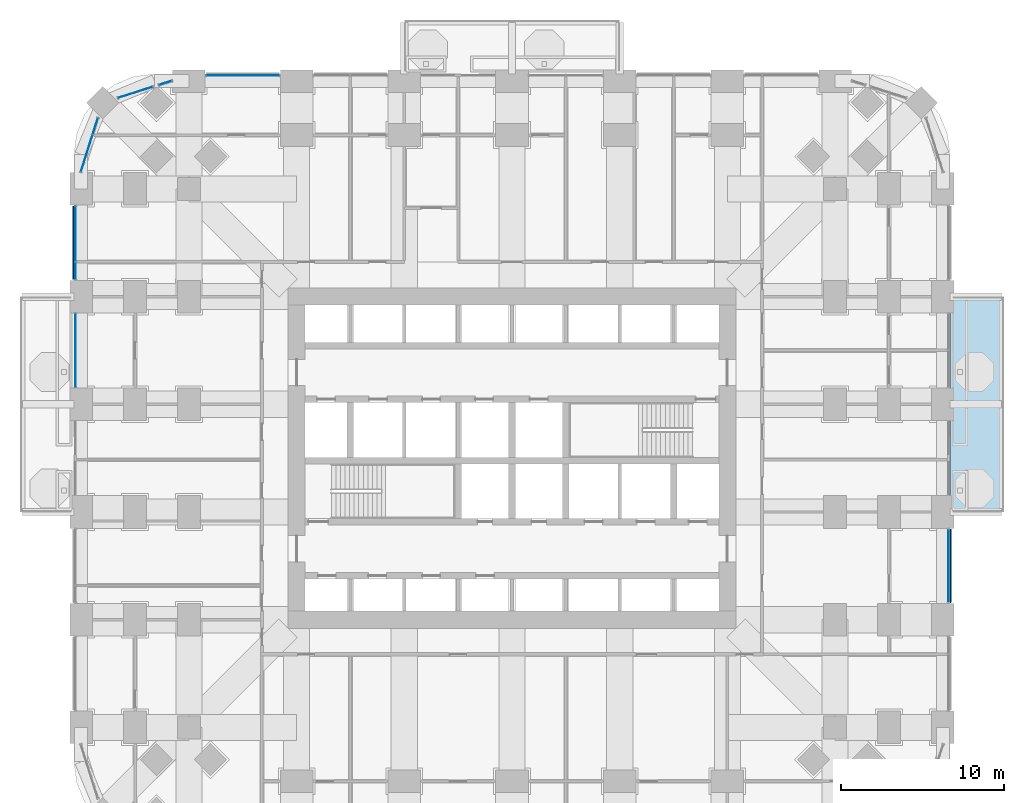
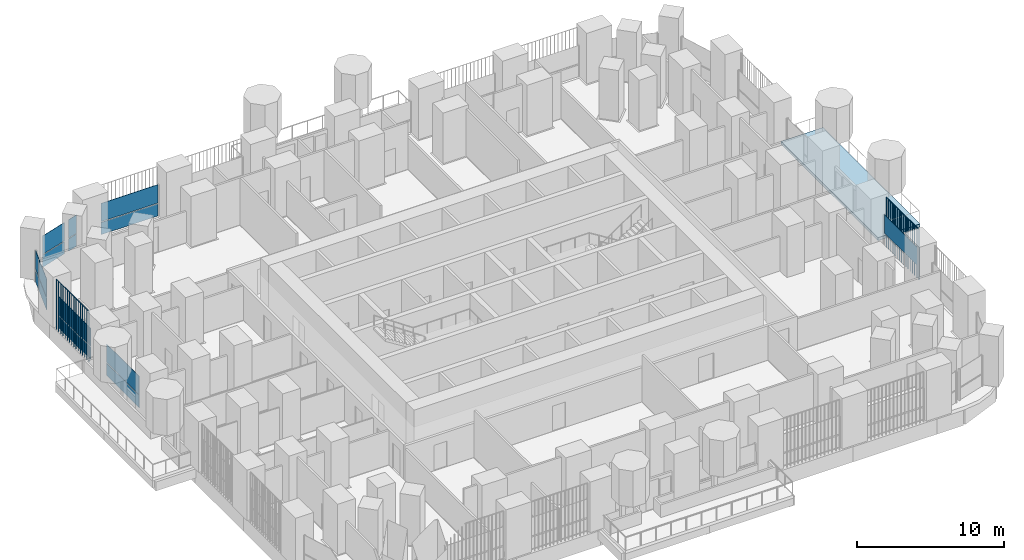
# One storey, part 13 of 25: 19 plates, 1 slab, 7 elements without a shape of their own.
"""IFC4 building model written with IfcOpenShell, lengths in metres."""

from ifc_helpers import new_model, si_unit, direction, frame, origin, origin_2d, place, context, subcontext, project, spatial, polyline, rectangle, outline, extrude, material, layer, layer_set, type_object, element, aggregate, save


model = new_model("IFC4")

# Units and contexts
model_context = context("Model", 3, precision=1e-05, world=origin(), true_north=direction((0.0, 1.0)))
body_context = subcontext(model_context, "Body", "Model", "MODEL_VIEW")
ifc_project = project(units=[si_unit("LENGTHUNIT", "METRE"), si_unit("AREAUNIT", "SQUARE_METRE"), si_unit("VOLUMEUNIT", "CUBIC_METRE"), si_unit("PLANEANGLEUNIT", "RADIAN"), si_unit("MASSUNIT", "GRAM", prefix="KILO")], contexts=[model_context])

# Site, building, storey
site_placement = place(None, origin())
site = spatial("IfcSite", under=ifc_project, at=site_placement, CompositionType="ELEMENT")
building_placement = place(site_placement, origin())
building = spatial("IfcBuilding", under=site, at=building_placement, Name="Cobogo Forest Laboratory Tower", CompositionType="ELEMENT")
storey_placement = place(building_placement, frame((0.0, 0.0, 67.5)))
storey = spatial("IfcBuildingStorey", under=building, at=storey_placement, Name="L15", CompositionType="ELEMENT", Elevation=67.5)

# Slab
ifc_material_1 = material(Name="Concrete HA-40 (C40/50)", Category="concrete")
ifc_layer_1 = layer(ifc_material_1, 0.25)
ifc_layer_set_1 = layer_set([ifc_layer_1], Name="Balcony slab 250")
slab_type = type_object("IfcSlabType", Name="Balcony slab 250", PredefinedType="FLOOR", material=ifc_layer_set_1)
slab_placement = place(storey_placement, frame((0.0, 0.0, -0.25)))
element("IfcSlab", 1, at=slab_placement, inside=storey, type_object=slab_type, Name="Balcony BAL-E1 L15", PredefinedType="FLOOR", context=body_context, shape_type="SweptSolid", body=[
    extrude(outline(polyline([(53.25, 19.800048828125), (56.550048828125, 19.800048828125), (56.550048828125, 33.0), (53.25, 33.0), (53.25, 19.800048828125)])), origin(), (0.0, 0.0, 1.0), 0.25),
])

# Curtain wall, plate
ifc_material_2 = material(Name="Aluminium curtain wall", Category="aluminium")
curtain_wall_type = type_object("IfcCurtainWallType", Name="CW-1 unitised curtain wall, clear glazing, laboratory floors zones A and B", PredefinedType="USERDEFINED", material=ifc_material_2)
curtain_wall_1_placement = place(storey_placement, origin())
curtain_wall_1 = element("IfcCurtainWall", 2, at=curtain_wall_1_placement, inside=storey, type_object=curtain_wall_type, Name="Curtain wall 11 L15", ObjectType="UNITISED CURTAIN WALL", PredefinedType="USERDEFINED")
ifc_material_3 = material(Name="Clear insulated glass", Category="glass")
ifc_layer_2 = layer(ifc_material_3, 0.028076171875)
ifc_layer_set_2 = layer_set([ifc_layer_2], Name="GP-1 clear insulated glass unit 28")
plate_type_1 = type_object("IfcPlateType", Name="GP-1 clear insulated glass unit 28", PredefinedType="CURTAIN_PANEL", material=ifc_layer_set_2)
plate_1_placement = place(storey_placement, frame((53.14990234375, 16.5, 1.080078125), z_axis=(0.0, 0.0, 1.0), x_axis=(0.0, 1.0, 0.0)))
plate_1 = element("IfcPlate", 3, at=plate_1_placement, type_object=plate_type_1, Name="CW-1 panel 1.2", PredefinedType="CURTAIN_PANEL", context=body_context, shape_type="SweptSolid", body=[
    extrude(rectangle(XDim=4.47998046875, YDim=0.028076171875, at=origin_2d()), origin(), (0.0, 0.0, 1.0), 1.52001953125),
])
aggregate(curtain_wall_1, [plate_1])

# Curtain wall, plates
curtain_wall_2_placement = place(storey_placement, origin())
curtain_wall_2 = element("IfcCurtainWall", 4, at=curtain_wall_2_placement, inside=storey, type_object=curtain_wall_type, Name="Curtain wall 23 L15", ObjectType="UNITISED CURTAIN WALL", PredefinedType="USERDEFINED")
plate_2_placement = place(storey_placement, frame((9.89990234375, 46.550048828125, 0.0), z_axis=(0.0, 0.0, 1.0), x_axis=(-1.0, 0.0, 0.0)))
plate_2 = element("IfcPlate", 5, at=plate_2_placement, type_object=plate_type_1, Name="CW-1 panel 1.1", PredefinedType="CURTAIN_PANEL", context=body_context, shape_type="SweptSolid", body=[
    extrude(rectangle(XDim=4.47998046875, YDim=0.028076171875, at=origin_2d()), origin(), (0.0, 0.0, 1.0), 1.02001953125),
])
plate_3_placement = place(storey_placement, frame((9.89990234375, 46.550048828125, 1.080078125), z_axis=(0.0, 0.0, 1.0), x_axis=(-1.0, 0.0, 0.0)))
plate_3 = element("IfcPlate", 6, at=plate_3_placement, type_object=plate_type_1, Name="CW-1 panel 1.2", PredefinedType="CURTAIN_PANEL", context=body_context, shape_type="SweptSolid", body=[
    extrude(rectangle(XDim=4.47998046875, YDim=0.028076171875, at=origin_2d()), origin(), (0.0, 0.0, 1.0), 1.52001953125),
])
aggregate(curtain_wall_2, [plate_2, plate_3])

curtain_wall_3_placement = place(storey_placement, origin())
curtain_wall_3 = element("IfcCurtainWall", 7, at=curtain_wall_3_placement, inside=storey, type_object=curtain_wall_type, Name="Curtain wall 24 L15", ObjectType="UNITISED CURTAIN WALL", PredefinedType="USERDEFINED")
plate_4_placement = place(storey_placement, frame((5.158935546875, 46.094970703125, 0.0), z_axis=(0.0, 0.0, 1.0), x_axis=(-0.953581406818, -0.301135352577, 0.0)))
plate_4 = element("IfcPlate", 8, at=plate_4_placement, type_object=plate_type_1, Name="CW-1 panel 1.1", PredefinedType="CURTAIN_PANEL", context=body_context, shape_type="SweptSolid", body=[
    extrude(rectangle(XDim=0.804931640625, YDim=0.028076171875, at=origin_2d()), origin(), (0.0, 0.0, 1.0), 1.02001953125),
])
plate_5_placement = place(storey_placement, frame((5.158935546875, 46.094970703125, 1.080078125), z_axis=(0.0, 0.0, 1.0), x_axis=(-0.953581406818, -0.301135352577, 0.0)))
plate_5 = element("IfcPlate", 9, at=plate_5_placement, type_object=plate_type_1, Name="CW-1 panel 1.2", PredefinedType="CURTAIN_PANEL", context=body_context, shape_type="SweptSolid", body=[
    extrude(rectangle(XDim=0.804931640625, YDim=0.028076171875, at=origin_2d()), origin(), (0.0, 0.0, 1.0), 1.52001953125),
])
aggregate(curtain_wall_3, [plate_4, plate_5])

curtain_wall_4_placement = place(storey_placement, origin())
curtain_wall_4 = element("IfcCurtainWall", 10, at=curtain_wall_4_placement, inside=storey, type_object=curtain_wall_type, Name="Curtain wall 25 L15", ObjectType="UNITISED CURTAIN WALL", PredefinedType="USERDEFINED")
plate_6_placement = place(storey_placement, frame((3.31787109375, 45.513427734375, 0.0), z_axis=(0.0, 0.0, 1.0), x_axis=(-0.953581409645, -0.301135343623, 0.0)))
plate_6 = element("IfcPlate", 11, at=plate_6_placement, type_object=plate_type_1, Name="CW-1 panel 1.1", PredefinedType="CURTAIN_PANEL", context=body_context, shape_type="SweptSolid", body=[
    extrude(rectangle(XDim=2.203369140625, YDim=0.028076171875, at=origin_2d()), origin(), (0.0, 0.0, 1.0), 1.02001953125),
])
plate_7_placement = place(storey_placement, frame((3.31787109375, 45.513427734375, 1.080078125), z_axis=(0.0, 0.0, 1.0), x_axis=(-0.953581409645, -0.301135343623, 0.0)))
plate_7 = element("IfcPlate", 12, at=plate_7_placement, type_object=plate_type_1, Name="CW-1 panel 1.2", PredefinedType="CURTAIN_PANEL", context=body_context, shape_type="SweptSolid", body=[
    extrude(rectangle(XDim=2.203369140625, YDim=0.028076171875, at=origin_2d()), origin(), (0.0, 0.0, 1.0), 1.52001953125),
])
aggregate(curtain_wall_4, [plate_6, plate_7])

curtain_wall_5_placement = place(storey_placement, origin())
curtain_wall_5 = element("IfcCurtainWall", 13, at=curtain_wall_5_placement, inside=storey, type_object=curtain_wall_type, Name="Curtain wall 26 L15", ObjectType="UNITISED CURTAIN WALL", PredefinedType="USERDEFINED")
plate_8_placement = place(storey_placement, frame((0.863525390625, 43.442626953125, 0.0), z_axis=(0.0, 0.0, 1.0), x_axis=(-0.301135433696, -0.953581381201, 0.0)))
plate_8 = element("IfcPlate", 14, at=plate_8_placement, type_object=plate_type_1, Name="CW-1 panel 1.1", PredefinedType="CURTAIN_PANEL", context=body_context, shape_type="SweptSolid", body=[
    extrude(rectangle(XDim=1.027587890625, YDim=0.028076171875, at=origin_2d()), origin(), (0.0, 0.0, 1.0), 1.02001953125),
])
plate_9_placement = place(storey_placement, frame((0.863525390625, 43.442626953125, 1.080078125), z_axis=(0.0, 0.0, 1.0), x_axis=(-0.301135433696, -0.953581381201, 0.0)))
plate_9 = element("IfcPlate", 15, at=plate_9_placement, type_object=plate_type_1, Name="CW-1 panel 1.2", PredefinedType="CURTAIN_PANEL", context=body_context, shape_type="SweptSolid", body=[
    extrude(rectangle(XDim=1.027587890625, YDim=0.028076171875, at=origin_2d()), origin(), (0.0, 0.0, 1.0), 1.52001953125),
])
plate_10_placement = place(storey_placement, frame((0.337158203125, 41.7763671875, 0.0), z_axis=(0.0, 0.0, 1.0), x_axis=(-0.301135433696, -0.953581381201, 0.0)))
plate_10 = element("IfcPlate", 16, at=plate_10_placement, type_object=plate_type_1, Name="CW-1 panel 2.1", PredefinedType="CURTAIN_PANEL", context=body_context, shape_type="SweptSolid", body=[
    extrude(rectangle(XDim=2.34716796875, YDim=0.028076171875, at=origin_2d()), origin(), (0.0, 0.0, 1.0), 1.02001953125),
])
plate_11_placement = place(storey_placement, frame((0.337158203125, 41.7763671875, 1.080078125), z_axis=(0.0, 0.0, 1.0), x_axis=(-0.301135433696, -0.953581381201, 0.0)))
plate_11 = element("IfcPlate", 17, at=plate_11_placement, type_object=plate_type_1, Name="CW-1 panel 2.2", PredefinedType="CURTAIN_PANEL", context=body_context, shape_type="SweptSolid", body=[
    extrude(rectangle(XDim=2.34716796875, YDim=0.028076171875, at=origin_2d()), origin(), (0.0, 0.0, 1.0), 1.52001953125),
])
aggregate(curtain_wall_5, [plate_8, plate_9, plate_10, plate_11])

curtain_wall_6_placement = place(storey_placement, origin())
curtain_wall_6 = element("IfcCurtainWall", 18, at=curtain_wall_6_placement, inside=storey, type_object=curtain_wall_type, Name="Curtain wall 27 L15", ObjectType="UNITISED CURTAIN WALL", PredefinedType="USERDEFINED")
plate_12_placement = place(storey_placement, frame((-0.35009765625, 36.847412109375, 0.0), z_axis=(0.0, 0.0, 1.0), x_axis=(0.0, -1.0, 0.0)))
plate_12 = element("IfcPlate", 19, at=plate_12_placement, type_object=plate_type_1, Name="CW-1 panel 1.1", PredefinedType="CURTAIN_PANEL", context=body_context, shape_type="SweptSolid", body=[
    extrude(rectangle(XDim=3.385009765625, YDim=0.028076171875, at=origin_2d()), origin(), (0.0, 0.0, 1.0), 1.02001953125),
])
plate_13_placement = place(storey_placement, frame((-0.35009765625, 36.847412109375, 1.080078125), z_axis=(0.0, 0.0, 1.0), x_axis=(0.0, -1.0, 0.0)))
plate_13 = element("IfcPlate", 20, at=plate_13_placement, type_object=plate_type_1, Name="CW-1 panel 1.2", PredefinedType="CURTAIN_PANEL", context=body_context, shape_type="SweptSolid", body=[
    extrude(rectangle(XDim=3.385009765625, YDim=0.028076171875, at=origin_2d()), origin(), (0.0, 0.0, 1.0), 1.52001953125),
])
plate_14_placement = place(storey_placement, frame((-0.35009765625, 34.577392578125, 0.0), z_axis=(0.0, 0.0, 1.0), x_axis=(0.0, -1.0, 0.0)))
plate_14 = element("IfcPlate", 21, at=plate_14_placement, type_object=plate_type_1, Name="CW-1 panel 2.1", PredefinedType="CURTAIN_PANEL", context=body_context, shape_type="SweptSolid", body=[
    extrude(rectangle(XDim=1.034912109375, YDim=0.028076171875, at=origin_2d()), origin(), (0.0, 0.0, 1.0), 1.02001953125),
])
plate_15_placement = place(storey_placement, frame((-0.35009765625, 34.577392578125, 1.080078125), z_axis=(0.0, 0.0, 1.0), x_axis=(0.0, -1.0, 0.0)))
plate_15 = element("IfcPlate", 22, at=plate_15_placement, type_object=plate_type_1, Name="CW-1 panel 2.2", PredefinedType="CURTAIN_PANEL", context=body_context, shape_type="SweptSolid", body=[
    extrude(rectangle(XDim=1.034912109375, YDim=0.028076171875, at=origin_2d()), origin(), (0.0, 0.0, 1.0), 1.52001953125),
])
aggregate(curtain_wall_6, [plate_12, plate_13, plate_14, plate_15])

curtain_wall_7_placement = place(storey_placement, origin())
curtain_wall_7 = element("IfcCurtainWall", 23, at=curtain_wall_7_placement, inside=storey, type_object=curtain_wall_type, Name="Curtain wall 28 L15", ObjectType="UNITISED CURTAIN WALL", PredefinedType="USERDEFINED")
plate_16_placement = place(storey_placement, frame((-0.35009765625, 29.699951171875, 0.0), z_axis=(0.0, 0.0, 1.0), x_axis=(0.0, -1.0, 0.0)))
plate_16 = element("IfcPlate", 24, at=plate_16_placement, type_object=plate_type_1, Name="CW-1 panel 1.1", PredefinedType="CURTAIN_PANEL", context=body_context, shape_type="SweptSolid", body=[
    extrude(rectangle(XDim=4.47998046875, YDim=0.028076171875, at=origin_2d()), origin(), (0.0, 0.0, 1.0), 1.02001953125),
])
plate_17_placement = place(storey_placement, frame((-0.35009765625, 29.699951171875, 1.080078125), z_axis=(0.0, 0.0, 1.0), x_axis=(0.0, -1.0, 0.0)))
plate_17 = element("IfcPlate", 25, at=plate_17_placement, type_object=plate_type_1, Name="CW-1 panel 1.2", PredefinedType="CURTAIN_PANEL", context=body_context, shape_type="SweptSolid", body=[
    extrude(rectangle(XDim=4.47998046875, YDim=0.028076171875, at=origin_2d()), origin(), (0.0, 0.0, 1.0), 1.52001953125),
])
aggregate(curtain_wall_7, [plate_16, plate_17])

# Plates
ifc_material_4 = material(Name="Terracotta", Category="masonry")
plate_type_2 = type_object("IfcPlateType", Name="TB1 terracotta baguette screen", PredefinedType="USERDEFINED", material=ifc_material_4)
plate_18_placement = place(storey_placement, frame((53.27783203125, 14.28125, -0.14990234375)))
element("IfcPlate", 26, at=plate_18_placement, inside=storey, type_object=plate_type_2, Name="Baguette screen E2 L15", ObjectType="BAGUETTE SCREEN", PredefinedType="USERDEFINED", context=body_context, shape_type="SweptSolid", body=[
    extrude(outline(polyline([(0.02880859375, 0.011962890625), (0.011962890625, 0.02880859375), (-0.011962890625, 0.02880859375), (-0.02880859375, 0.011962890625), (-0.02880859375, -0.011962890625), (-0.011962890625, -0.02880859375), (0.011962890625, -0.02880859375), (0.02880859375, -0.011962890625), (0.02880859375, 0.011962890625)])), frame((0.0, 0.0, 4.168701171875), z_axis=(0.0, 1.0, 0.0), x_axis=(-1.0, 0.0, 0.0)), (0.0, 0.0, 1.0), 4.4375),
    extrude(outline(polyline([(0.02880859375, 0.011962890625), (0.011962890625, 0.02880859375), (-0.011962890625, 0.02880859375), (-0.02880859375, 0.011962890625), (-0.02880859375, -0.011962890625), (-0.011962890625, -0.02880859375), (0.011962890625, -0.02880859375), (0.02880859375, -0.011962890625), (0.02880859375, 0.011962890625)])), origin(), (0.0, 0.0, 1.0), 4.137451171875),
    extrude(outline(polyline([(0.02880859375, 0.011962890625), (0.011962890625, 0.02880859375), (-0.011962890625, 0.02880859375), (-0.02880859375, 0.011962890625), (-0.02880859375, -0.011962890625), (-0.011962890625, -0.02880859375), (0.011962890625, -0.02880859375), (0.02880859375, -0.011962890625), (0.02880859375, 0.011962890625)])), frame((0.0, 0.2958984375, 0.0)), (0.0, 0.0, 1.0), 4.137451171875),
    extrude(outline(polyline([(0.02880859375, 0.011962890625), (0.011962890625, 0.02880859375), (-0.011962890625, 0.02880859375), (-0.02880859375, 0.011962890625), (-0.02880859375, -0.011962890625), (-0.011962890625, -0.02880859375), (0.011962890625, -0.02880859375), (0.02880859375, -0.011962890625), (0.02880859375, 0.011962890625)])), frame((0.0, 0.591552734375, 0.0)), (0.0, 0.0, 1.0), 4.137451171875),
    extrude(outline(polyline([(0.02880859375, 0.011962890625), (0.011962890625, 0.02880859375), (-0.011962890625, 0.02880859375), (-0.02880859375, 0.011962890625), (-0.02880859375, -0.011962890625), (-0.011962890625, -0.02880859375), (0.011962890625, -0.02880859375), (0.02880859375, -0.011962890625), (0.02880859375, 0.011962890625)])), frame((0.0, 0.887451171875, 0.0)), (0.0, 0.0, 1.0), 4.137451171875),
    extrude(outline(polyline([(0.02880859375, 0.011962890625), (0.011962890625, 0.02880859375), (-0.011962890625, 0.02880859375), (-0.02880859375, 0.011962890625), (-0.02880859375, -0.011962890625), (-0.011962890625, -0.02880859375), (0.011962890625, -0.02880859375), (0.02880859375, -0.011962890625), (0.02880859375, 0.011962890625)])), frame((0.0, 1.183349609375, 0.0)), (0.0, 0.0, 1.0), 4.137451171875),
    extrude(outline(polyline([(0.02880859375, 0.011962890625), (0.011962890625, 0.02880859375), (-0.011962890625, 0.02880859375), (-0.02880859375, 0.011962890625), (-0.02880859375, -0.011962890625), (-0.011962890625, -0.02880859375), (0.011962890625, -0.02880859375), (0.02880859375, -0.011962890625), (0.02880859375, 0.011962890625)])), frame((0.0, 1.479248046875, 0.0)), (0.0, 0.0, 1.0), 4.137451171875),
    extrude(outline(polyline([(0.02880859375, 0.011962890625), (0.011962890625, 0.02880859375), (-0.011962890625, 0.02880859375), (-0.02880859375, 0.011962890625), (-0.02880859375, -0.011962890625), (-0.011962890625, -0.02880859375), (0.011962890625, -0.02880859375), (0.02880859375, -0.011962890625), (0.02880859375, 0.011962890625)])), frame((0.0, 1.77490234375, 0.0)), (0.0, 0.0, 1.0), 4.137451171875),
    extrude(outline(polyline([(0.02880859375, 0.011962890625), (0.011962890625, 0.02880859375), (-0.011962890625, 0.02880859375), (-0.02880859375, 0.011962890625), (-0.02880859375, -0.011962890625), (-0.011962890625, -0.02880859375), (0.011962890625, -0.02880859375), (0.02880859375, -0.011962890625), (0.02880859375, 0.011962890625)])), frame((0.0, 2.07080078125, 0.0)), (0.0, 0.0, 1.0), 4.137451171875),
    extrude(outline(polyline([(0.02880859375, 0.011962890625), (0.011962890625, 0.02880859375), (-0.011962890625, 0.02880859375), (-0.02880859375, 0.011962890625), (-0.02880859375, -0.011962890625), (-0.011962890625, -0.02880859375), (0.011962890625, -0.02880859375), (0.02880859375, -0.011962890625), (0.02880859375, 0.011962890625)])), frame((0.0, 2.36669921875, 0.0)), (0.0, 0.0, 1.0), 4.137451171875),
    extrude(outline(polyline([(0.02880859375, 0.011962890625), (0.011962890625, 0.02880859375), (-0.011962890625, 0.02880859375), (-0.02880859375, 0.011962890625), (-0.02880859375, -0.011962890625), (-0.011962890625, -0.02880859375), (0.011962890625, -0.02880859375), (0.02880859375, -0.011962890625), (0.02880859375, 0.011962890625)])), frame((0.0, 2.66259765625, 0.0)), (0.0, 0.0, 1.0), 4.137451171875),
    extrude(outline(polyline([(0.02880859375, 0.011962890625), (0.011962890625, 0.02880859375), (-0.011962890625, 0.02880859375), (-0.02880859375, 0.011962890625), (-0.02880859375, -0.011962890625), (-0.011962890625, -0.02880859375), (0.011962890625, -0.02880859375), (0.02880859375, -0.011962890625), (0.02880859375, 0.011962890625)])), frame((0.0, 2.958251953125, 0.0)), (0.0, 0.0, 1.0), 4.137451171875),
    extrude(outline(polyline([(0.02880859375, 0.011962890625), (0.011962890625, 0.02880859375), (-0.011962890625, 0.02880859375), (-0.02880859375, 0.011962890625), (-0.02880859375, -0.011962890625), (-0.011962890625, -0.02880859375), (0.011962890625, -0.02880859375), (0.02880859375, -0.011962890625), (0.02880859375, 0.011962890625)])), frame((0.0, 3.254150390625, 0.0)), (0.0, 0.0, 1.0), 4.137451171875),
    extrude(outline(polyline([(0.02880859375, 0.011962890625), (0.011962890625, 0.02880859375), (-0.011962890625, 0.02880859375), (-0.02880859375, 0.011962890625), (-0.02880859375, -0.011962890625), (-0.011962890625, -0.02880859375), (0.011962890625, -0.02880859375), (0.02880859375, -0.011962890625), (0.02880859375, 0.011962890625)])), frame((0.0, 3.550048828125, 0.0)), (0.0, 0.0, 1.0), 4.137451171875),
    extrude(outline(polyline([(0.02880859375, 0.011962890625), (0.011962890625, 0.02880859375), (-0.011962890625, 0.02880859375), (-0.02880859375, 0.011962890625), (-0.02880859375, -0.011962890625), (-0.011962890625, -0.02880859375), (0.011962890625, -0.02880859375), (0.02880859375, -0.011962890625), (0.02880859375, 0.011962890625)])), frame((0.0, 3.845947265625, 0.0)), (0.0, 0.0, 1.0), 4.137451171875),
    extrude(outline(polyline([(0.02880859375, 0.011962890625), (0.011962890625, 0.02880859375), (-0.011962890625, 0.02880859375), (-0.02880859375, 0.011962890625), (-0.02880859375, -0.011962890625), (-0.011962890625, -0.02880859375), (0.011962890625, -0.02880859375), (0.02880859375, -0.011962890625), (0.02880859375, 0.011962890625)])), frame((0.0, 4.1416015625, 0.0)), (0.0, 0.0, 1.0), 4.137451171875),
    extrude(outline(polyline([(0.02880859375, 0.011962890625), (0.011962890625, 0.02880859375), (-0.011962890625, 0.02880859375), (-0.02880859375, 0.011962890625), (-0.02880859375, -0.011962890625), (-0.011962890625, -0.02880859375), (0.011962890625, -0.02880859375), (0.02880859375, -0.011962890625), (0.02880859375, 0.011962890625)])), frame((0.0, 4.4375, 0.0)), (0.0, 0.0, 1.0), 4.137451171875),
])
plate_19_placement = place(storey_placement, frame((-0.477783203125, 34.081298828125, -0.14990234375)))
element("IfcPlate", 27, at=plate_19_placement, inside=storey, type_object=plate_type_2, Name="Baguette screen W5 L15", ObjectType="BAGUETTE SCREEN", PredefinedType="USERDEFINED", context=body_context, shape_type="SweptSolid", body=[
    extrude(outline(polyline([(0.02880859375, 0.011962890625), (0.011962890625, 0.02880859375), (-0.011962890625, 0.02880859375), (-0.02880859375, 0.011962890625), (-0.02880859375, -0.011962890625), (-0.011962890625, -0.02880859375), (0.011962890625, -0.02880859375), (0.02880859375, -0.011962890625), (0.02880859375, 0.011962890625)])), frame((0.0, 0.0, 4.168701171875), z_axis=(0.0, 1.0, 0.0), x_axis=(-1.0, 0.0, 0.0)), (0.0, 0.0, 1.0), 4.4375),
    extrude(outline(polyline([(0.02880859375, 0.011962890625), (0.011962890625, 0.02880859375), (-0.011962890625, 0.02880859375), (-0.02880859375, 0.011962890625), (-0.02880859375, -0.011962890625), (-0.011962890625, -0.02880859375), (0.011962890625, -0.02880859375), (0.02880859375, -0.011962890625), (0.02880859375, 0.011962890625)])), origin(), (0.0, 0.0, 1.0), 4.137451171875),
    extrude(outline(polyline([(0.02880859375, 0.011962890625), (0.011962890625, 0.02880859375), (-0.011962890625, 0.02880859375), (-0.02880859375, 0.011962890625), (-0.02880859375, -0.011962890625), (-0.011962890625, -0.02880859375), (0.011962890625, -0.02880859375), (0.02880859375, -0.011962890625), (0.02880859375, 0.011962890625)])), frame((0.0, 0.2958984375, 0.0)), (0.0, 0.0, 1.0), 4.137451171875),
    extrude(outline(polyline([(0.02880859375, 0.011962890625), (0.011962890625, 0.02880859375), (-0.011962890625, 0.02880859375), (-0.02880859375, 0.011962890625), (-0.02880859375, -0.011962890625), (-0.011962890625, -0.02880859375), (0.011962890625, -0.02880859375), (0.02880859375, -0.011962890625), (0.02880859375, 0.011962890625)])), frame((0.0, 0.591552734375, 0.0)), (0.0, 0.0, 1.0), 4.137451171875),
    extrude(outline(polyline([(0.02880859375, 0.011962890625), (0.011962890625, 0.02880859375), (-0.011962890625, 0.02880859375), (-0.02880859375, 0.011962890625), (-0.02880859375, -0.011962890625), (-0.011962890625, -0.02880859375), (0.011962890625, -0.02880859375), (0.02880859375, -0.011962890625), (0.02880859375, 0.011962890625)])), frame((0.0, 0.887451171875, 0.0)), (0.0, 0.0, 1.0), 4.137451171875),
    extrude(outline(polyline([(0.02880859375, 0.011962890625), (0.011962890625, 0.02880859375), (-0.011962890625, 0.02880859375), (-0.02880859375, 0.011962890625), (-0.02880859375, -0.011962890625), (-0.011962890625, -0.02880859375), (0.011962890625, -0.02880859375), (0.02880859375, -0.011962890625), (0.02880859375, 0.011962890625)])), frame((0.0, 1.183349609375, 0.0)), (0.0, 0.0, 1.0), 4.137451171875),
    extrude(outline(polyline([(0.02880859375, 0.011962890625), (0.011962890625, 0.02880859375), (-0.011962890625, 0.02880859375), (-0.02880859375, 0.011962890625), (-0.02880859375, -0.011962890625), (-0.011962890625, -0.02880859375), (0.011962890625, -0.02880859375), (0.02880859375, -0.011962890625), (0.02880859375, 0.011962890625)])), frame((0.0, 1.479248046875, 0.0)), (0.0, 0.0, 1.0), 4.137451171875),
    extrude(outline(polyline([(0.02880859375, 0.011962890625), (0.011962890625, 0.02880859375), (-0.011962890625, 0.02880859375), (-0.02880859375, 0.011962890625), (-0.02880859375, -0.011962890625), (-0.011962890625, -0.02880859375), (0.011962890625, -0.02880859375), (0.02880859375, -0.011962890625), (0.02880859375, 0.011962890625)])), frame((0.0, 1.77490234375, 0.0)), (0.0, 0.0, 1.0), 4.137451171875),
    extrude(outline(polyline([(0.02880859375, 0.011962890625), (0.011962890625, 0.02880859375), (-0.011962890625, 0.02880859375), (-0.02880859375, 0.011962890625), (-0.02880859375, -0.011962890625), (-0.011962890625, -0.02880859375), (0.011962890625, -0.02880859375), (0.02880859375, -0.011962890625), (0.02880859375, 0.011962890625)])), frame((0.0, 2.07080078125, 0.0)), (0.0, 0.0, 1.0), 4.137451171875),
    extrude(outline(polyline([(0.02880859375, 0.011962890625), (0.011962890625, 0.02880859375), (-0.011962890625, 0.02880859375), (-0.02880859375, 0.011962890625), (-0.02880859375, -0.011962890625), (-0.011962890625, -0.02880859375), (0.011962890625, -0.02880859375), (0.02880859375, -0.011962890625), (0.02880859375, 0.011962890625)])), frame((0.0, 2.36669921875, 0.0)), (0.0, 0.0, 1.0), 4.137451171875),
    extrude(outline(polyline([(0.02880859375, 0.011962890625), (0.011962890625, 0.02880859375), (-0.011962890625, 0.02880859375), (-0.02880859375, 0.011962890625), (-0.02880859375, -0.011962890625), (-0.011962890625, -0.02880859375), (0.011962890625, -0.02880859375), (0.02880859375, -0.011962890625), (0.02880859375, 0.011962890625)])), frame((0.0, 2.66259765625, 0.0)), (0.0, 0.0, 1.0), 4.137451171875),
    extrude(outline(polyline([(0.02880859375, 0.011962890625), (0.011962890625, 0.02880859375), (-0.011962890625, 0.02880859375), (-0.02880859375, 0.011962890625), (-0.02880859375, -0.011962890625), (-0.011962890625, -0.02880859375), (0.011962890625, -0.02880859375), (0.02880859375, -0.011962890625), (0.02880859375, 0.011962890625)])), frame((0.0, 2.958251953125, 0.0)), (0.0, 0.0, 1.0), 4.137451171875),
    extrude(outline(polyline([(0.02880859375, 0.011962890625), (0.011962890625, 0.02880859375), (-0.011962890625, 0.02880859375), (-0.02880859375, 0.011962890625), (-0.02880859375, -0.011962890625), (-0.011962890625, -0.02880859375), (0.011962890625, -0.02880859375), (0.02880859375, -0.011962890625), (0.02880859375, 0.011962890625)])), frame((0.0, 3.254150390625, 0.0)), (0.0, 0.0, 1.0), 4.137451171875),
    extrude(outline(polyline([(0.02880859375, 0.011962890625), (0.011962890625, 0.02880859375), (-0.011962890625, 0.02880859375), (-0.02880859375, 0.011962890625), (-0.02880859375, -0.011962890625), (-0.011962890625, -0.02880859375), (0.011962890625, -0.02880859375), (0.02880859375, -0.011962890625), (0.02880859375, 0.011962890625)])), frame((0.0, 3.550048828125, 0.0)), (0.0, 0.0, 1.0), 4.137451171875),
    extrude(outline(polyline([(0.02880859375, 0.011962890625), (0.011962890625, 0.02880859375), (-0.011962890625, 0.02880859375), (-0.02880859375, 0.011962890625), (-0.02880859375, -0.011962890625), (-0.011962890625, -0.02880859375), (0.011962890625, -0.02880859375), (0.02880859375, -0.011962890625), (0.02880859375, 0.011962890625)])), frame((0.0, 3.845947265625, 0.0)), (0.0, 0.0, 1.0), 4.137451171875),
    extrude(outline(polyline([(0.02880859375, 0.011962890625), (0.011962890625, 0.02880859375), (-0.011962890625, 0.02880859375), (-0.02880859375, 0.011962890625), (-0.02880859375, -0.011962890625), (-0.011962890625, -0.02880859375), (0.011962890625, -0.02880859375), (0.02880859375, -0.011962890625), (0.02880859375, 0.011962890625)])), frame((0.0, 4.1416015625, 0.0)), (0.0, 0.0, 1.0), 4.137451171875),
    extrude(outline(polyline([(0.02880859375, 0.011962890625), (0.011962890625, 0.02880859375), (-0.011962890625, 0.02880859375), (-0.02880859375, 0.011962890625), (-0.02880859375, -0.011962890625), (-0.011962890625, -0.02880859375), (0.011962890625, -0.02880859375), (0.02880859375, -0.011962890625), (0.02880859375, 0.011962890625)])), frame((0.0, 4.4375, 0.0)), (0.0, 0.0, 1.0), 4.137451171875),
])

save(model, "model.ifc")
